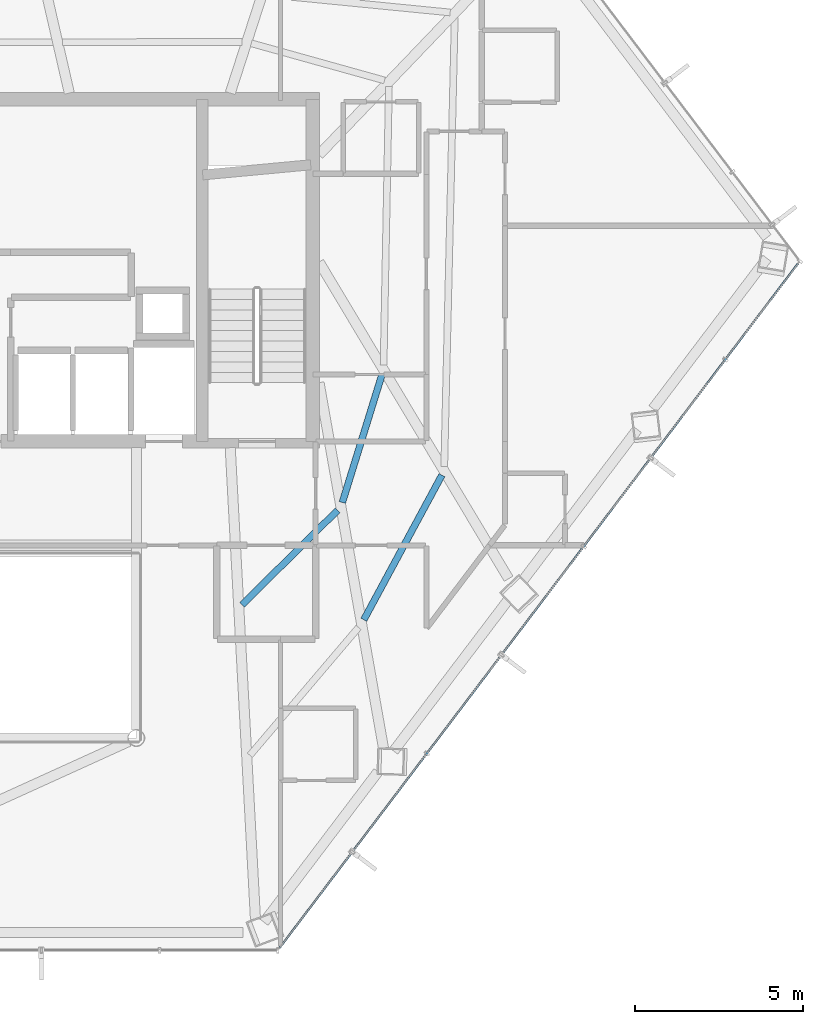
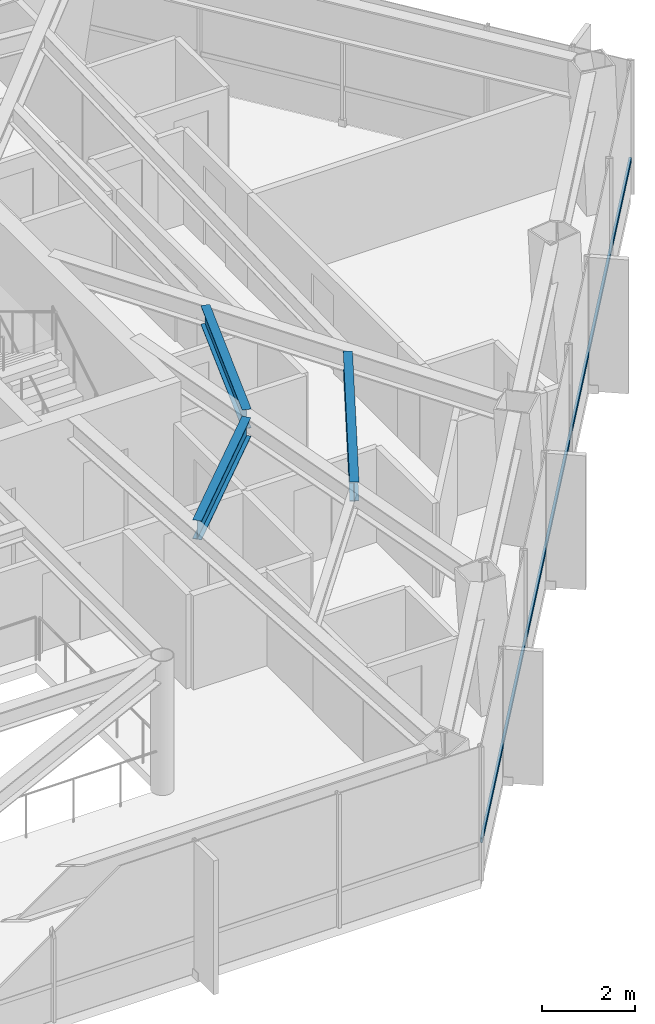
# One storey, part 20 of 30: 3 beams, 1 member, 1 element without a shape of its own.
"""IFC4 building model written with IfcOpenShell, lengths in metres."""

from ifc_helpers import new_model, si_unit, direction, frame, origin, origin_2d, place, context, subcontext, project, spatial, hollow_rectangle, i_section, extrude, material, layer, layer_set, material_profile, profile_set, type_object, element, aggregate, save


model = new_model("IFC4")

# Units and contexts
model_context = context("Model", 3, precision=1e-05, world=origin(), true_north=direction((0.0, 1.0)))
body_context = subcontext(model_context, "Body", "Model", "MODEL_VIEW")
ifc_project = project(units=[si_unit("LENGTHUNIT", "METRE"), si_unit("AREAUNIT", "SQUARE_METRE"), si_unit("VOLUMEUNIT", "CUBIC_METRE"), si_unit("PLANEANGLEUNIT", "RADIAN"), si_unit("MASSUNIT", "GRAM", prefix="KILO")], contexts=[model_context])

# Site, building, storey
site_placement = place(None, origin())
site = spatial("IfcSite", under=ifc_project, at=site_placement, CompositionType="ELEMENT")
building_placement = place(site_placement, origin())
building = spatial("IfcBuilding", under=site, at=building_placement, Name="Zarrinselat Tower", CompositionType="ELEMENT")
storey_placement = place(building_placement, frame((0.0, 0.0, 130.89990234375)))
storey = spatial("IfcBuildingStorey", under=building, at=storey_placement, Name="L31", CompositionType="ELEMENT", Elevation=130.89990234375)

# Beams
ifc_material_1 = material(Name="Steel S355J2", Category="steel")
ifc_material_profile_1 = material_profile(ifc_material_1, i_section(OverallWidth=0.199951171875, OverallDepth=0.5, WebThickness=0.01025390625, FlangeThickness=0.01611328125, at=origin_2d()), Name="IPE 500")
ifc_profile_set_1 = profile_set([ifc_material_profile_1], Name="Steel S355J2")
beam_type = type_object("IfcBeamType", Name="BM-IPE500", PredefinedType="JOIST", material=ifc_profile_set_1)
beam_1_placement = place(storey_placement, frame((46.155517578125, 28.377197265625, 3.25), z_axis=(0.710935301088, 0.703257419205, 0.0), x_axis=(-0.703257419205, 0.710935301088, 0.0)))
element("IfcBeam", 1, at=beam_1_placement, inside=storey, type_object=beam_type, Name="L31 Composite Floor Joist 3-2", PredefinedType="JOIST", context=body_context, shape_type="SweptSolid", body=[
    extrude(i_section(OverallWidth=0.199951171875, OverallDepth=0.5, WebThickness=0.01025390625, FlangeThickness=0.01611328125, at=origin_2d()), origin(), (0.0, 0.0, 1.0), 4.006591796875),
])
beam_2_placement = place(storey_placement, frame((49.78515625, 27.927734375, 3.25), z_axis=(0.475195177773, 0.879880414046, 0.0), x_axis=(-0.879880414046, 0.475195177773, 0.0)))
element("IfcBeam", 2, at=beam_2_placement, inside=storey, type_object=beam_type, Name="L31 Composite Floor Joist 4-1", PredefinedType="JOIST", context=body_context, shape_type="SweptSolid", body=[
    extrude(i_section(OverallWidth=0.199951171875, OverallDepth=0.5, WebThickness=0.01025390625, FlangeThickness=0.01611328125, at=origin_2d()), origin(), (0.0, 0.0, 1.0), 4.90283203125),
])
beam_3_placement = place(storey_placement, frame((49.14501953125, 31.427001953125, 3.25), z_axis=(0.295956453214, 0.955201433103, 0.0), x_axis=(-0.955201433103, 0.295956453214, 0.0)))
element("IfcBeam", 3, at=beam_3_placement, inside=storey, type_object=beam_type, Name="L31 Composite Floor Joist 4-2", PredefinedType="JOIST", context=body_context, shape_type="SweptSolid", body=[
    extrude(i_section(OverallWidth=0.199951171875, OverallDepth=0.5, WebThickness=0.01025390625, FlangeThickness=0.01611328125, at=origin_2d()), origin(), (0.0, 0.0, 1.0), 4.006591796875),
])

# Curtain wall, member
ifc_material_2 = material(Name="Extruded Aluminium Alloy EN AW-6063 T6", Category="aluminium")
ifc_layer = layer(ifc_material_2, 0.175048828125)
ifc_layer_set = layer_set([ifc_layer], Name="Extruded Aluminium Alloy EN AW-6063 T6")
curtain_wall_type = type_object("IfcCurtainWallType", Name="CWS-HTL", PredefinedType="NOTDEFINED", material=ifc_layer_set)
curtain_wall_placement = place(storey_placement, origin())
curtain_wall = element("IfcCurtainWall", 4, at=curtain_wall_placement, inside=storey, type_object=curtain_wall_type, Name="L31 Unitised Curtain Wall CW-L31-E05", PredefinedType="NOTDEFINED")
ifc_material_3 = material(Name="Extruded Aluminium Alloy EN AW-6063 T6", Category="aluminium")
ifc_material_profile_2 = material_profile(ifc_material_3, hollow_rectangle(XDim=0.06005859375, YDim=0.1201171875, WallThickness=0.00390625, at=origin_2d()), Name="RHS 120x60x4")
ifc_profile_set_2 = profile_set([ifc_material_profile_2], Name="Extruded Aluminium Alloy EN AW-6063 T6")
member_type = type_object("IfcMemberType", Name="MEM-CW-TRN2", PredefinedType="USERDEFINED", material=ifc_profile_set_2)
member_placement = place(storey_placement, frame((47.272216796875, 18.137939453125, 0.9501953125), z_axis=(0.603853834815, 0.797095067215, 0.0), x_axis=(-0.797095067215, 0.603853834815, 0.0)))
member = element("IfcMember", 5, at=member_placement, type_object=member_type, Name="CW-L31-E05 Transom 1", ObjectType="TRANSOM", PredefinedType="USERDEFINED", context=body_context, shape_type="SweptSolid", body=[
    extrude(hollow_rectangle(XDim=0.06005859375, YDim=0.1201171875, WallThickness=0.00390625, at=origin_2d()), origin(), (0.0, 0.0, 1.0), 25.617919921875),
])
aggregate(curtain_wall, [member])

save(model, "model.ifc")
